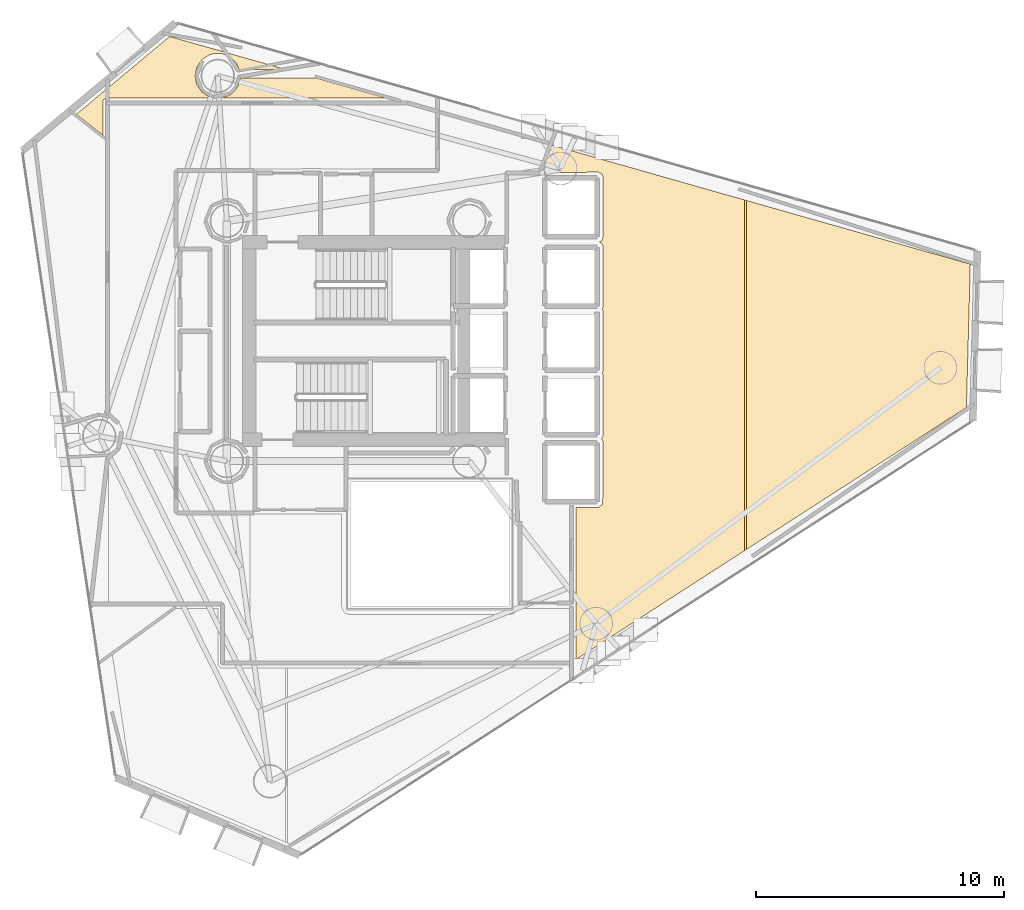
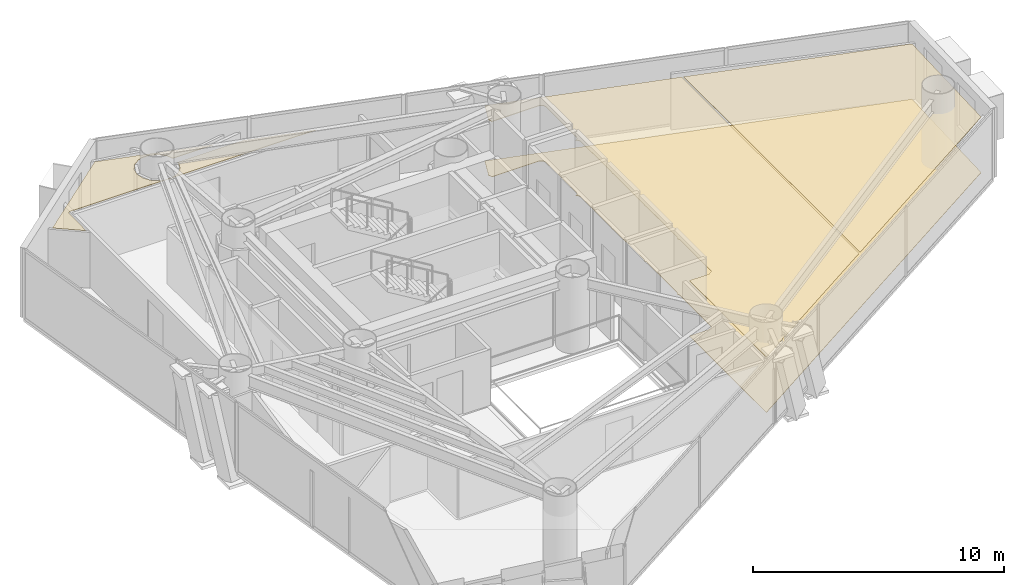
# One storey, part 22 of 22: 4 coverings.
"""IFC4 building model written with IfcOpenShell, lengths in metres."""

from ifc_helpers import new_model, si_unit, direction, frame, origin, place, context, subcontext, project, spatial, polyline, outline, extrude, material, layer, layer_set, type_object, element, save


model = new_model("IFC4")

# Units and contexts
model_context = context("Model", 3, precision=1e-05, world=origin(), true_north=direction((0.0, 1.0)))
body_context = subcontext(model_context, "Body", "Model", "MODEL_VIEW")
ifc_project = project(units=[si_unit("LENGTHUNIT", "METRE"), si_unit("AREAUNIT", "SQUARE_METRE"), si_unit("VOLUMEUNIT", "CUBIC_METRE"), si_unit("PLANEANGLEUNIT", "RADIAN"), si_unit("MASSUNIT", "GRAM", prefix="KILO")], contexts=[model_context])

# Site, building, storey
site_placement = place(None, origin())
site = spatial("IfcSite", under=ifc_project, at=site_placement, CompositionType="ELEMENT")
building_placement = place(site_placement, origin())
building = spatial("IfcBuilding", under=site, at=building_placement, Name="Qianvela Tower", CompositionType="ELEMENT")
storey_placement = place(building_placement, frame((0.0, 0.0, 180.89990234375)))
storey = spatial("IfcBuildingStorey", under=building, at=storey_placement, Name="L46", CompositionType="ELEMENT", Elevation=180.89990234375)

# Coverings
ifc_material_1 = material(Name="Perforated Mineral Acoustic Ceiling Tile")
ifc_layer_1 = layer(ifc_material_1, 0.02490234375)
ifc_layer_set_1 = layer_set([ifc_layer_1], Name="Perforated Mineral Acoustic Ceiling Tile")
covering_type_1 = type_object("IfcCoveringType", Name="COV-CEIL-ACOUSTIC-25", PredefinedType="CEILING", material=ifc_layer_set_1)
covering_1_placement = place(storey_placement, frame((0.0, 0.0, 2.695068359375)))
element("IfcCovering", 1, at=covering_1_placement, inside=storey, type_object=covering_type_1, Name="L46 Acoustic Ceiling Bay 1 Media Practice Cinema L46-02", PredefinedType="CEILING", context=body_context, shape_type="SweptSolid", body=[
    extrude(outline(polyline([(43.785888671875, 24.83154296875), (43.7900390625, 24.839111328125), (43.793212890625, 24.84716796875), (43.79541015625, 24.85546875), (43.796875, 24.864013671875), (43.79736328125, 24.87255859375), (43.800048828125, 27.2998046875), (43.799560546875, 27.307861328125), (43.79833984375, 27.31591796875), (43.79638671875, 27.323486328125), (43.793701171875, 27.3310546875), (43.7646484375, 27.39990234375), (43.793701171875, 27.468994140625), (43.79638671875, 27.476318359375), (43.79833984375, 27.484130859375), (43.799560546875, 27.491943359375), (43.800048828125, 27.5), (43.800048828125, 29.89990234375), (43.799560546875, 29.907958984375), (43.79833984375, 29.915771484375), (43.79638671875, 29.923583984375), (43.793701171875, 29.93115234375), (43.7646484375, 30.0), (43.793701171875, 30.06884765625), (43.79638671875, 30.076416015625), (43.79833984375, 30.084228515625), (43.799560546875, 30.09228515625), (43.800048828125, 30.10009765625), (43.7939453125, 32.540771484375), (43.793701171875, 32.548583984375), (43.79248046875, 32.556396484375), (43.79052734375, 32.56396484375), (43.787841796875, 32.5712890625), (43.784423828125, 32.578369140625), (43.780517578125, 32.585205078125), (43.7353515625, 32.652587890625), (43.73095703125, 32.658447265625), (43.726318359375, 32.6640625), (43.720947265625, 32.6689453125), (43.715087890625, 32.673583984375), (43.708984375, 32.677490234375), (43.702392578125, 32.680908203125), (43.69580078125, 32.68359375), (43.644287109375, 32.701904296875), (43.722412109375, 32.739013671875), (43.729248046875, 32.74267578125), (43.73583984375, 32.746826171875), (43.741943359375, 32.751953125), (43.74755859375, 32.757568359375), (43.75244140625, 32.763427734375), (43.7568359375, 32.77001953125), (43.760498046875, 32.777099609375), (43.763427734375, 32.7841796875), (43.79541015625, 32.873046875), (43.7978515625, 32.8818359375), (43.799560546875, 32.890869140625), (43.800048828125, 32.89990234375), (43.800048828125, 35.300048828125), (43.799560546875, 35.30908203125), (43.7978515625, 35.318115234375), (43.79541015625, 35.326904296875), (43.763427734375, 35.415771484375), (43.7607421875, 35.422607421875), (43.75732421875, 35.42919921875), (43.75341796875, 35.435302734375), (43.748779296875, 35.441162109375), (43.74365234375, 35.4462890625), (43.73828125, 35.451416015625), (43.732421875, 35.45556640625), (43.725830078125, 35.45947265625), (43.63134765625, 35.510009765625), (43.624267578125, 35.51318359375), (43.61669921875, 35.515869140625), (43.609130859375, 35.517822265625), (43.601318359375, 35.51904296875), (43.593505859375, 35.519287109375), (41.4287109375, 35.51123046875), (41.401123046875, 35.59521484375), (41.398193359375, 35.6025390625), (41.39453125, 35.609619140625), (41.390380859375, 35.6162109375), (41.385498046875, 35.62255859375), (41.3798828125, 35.62841796875), (41.373779296875, 35.633544921875), (41.3671875, 35.637939453125), (41.360107421875, 35.641845703125), (41.352783203125, 35.64501953125), (41.34814453125, 35.646728515625), (41.726806640625, 36.6142578125), (49.51611328125, 34.3994140625), (49.51611328125, 20.227294921875), (42.7099609375, 15.83544921875), (42.709228515625, 21.97998046875), (43.59375, 21.980712890625), (43.602294921875, 21.981201171875), (43.610595703125, 21.982421875), (43.618896484375, 21.984619140625), (43.626708984375, 21.98779296875), (43.63427734375, 21.99169921875), (43.641357421875, 21.996337890625), (43.757080078125, 22.082275390625), (43.763427734375, 22.08740234375), (43.769287109375, 22.09326171875), (43.7744140625, 22.099609375), (43.77880859375, 22.106689453125), (43.782470703125, 22.114013671875), (43.785400390625, 22.12158203125), (43.78759765625, 22.129638671875), (43.788818359375, 22.137939453125), (43.789306640625, 22.14599609375), (43.79931640625, 24.61328125), (43.799072265625, 24.62060546875), (43.798095703125, 24.627685546875), (43.796630859375, 24.634521484375), (43.79443359375, 24.641357421875), (43.79150390625, 24.64794921875), (43.751220703125, 24.733154296875), (43.74755859375, 24.739990234375), (43.743408203125, 24.74658203125), (43.738525390625, 24.75244140625), (43.785888671875, 24.83154296875)])), origin(), (0.0, 0.0, 1.0), 0.025146484375),
])
covering_2_placement = place(storey_placement, frame((0.0, 0.0, 2.695068359375)))
element("IfcCovering", 2, at=covering_2_placement, inside=storey, type_object=covering_type_1, Name="L46 Acoustic Ceiling Bay 2 Media Practice Cinema L46-02", PredefinedType="CEILING", context=body_context, shape_type="SweptSolid", body=[
    extrude(outline(polyline([(58.64013671875, 31.804931640625), (58.484130859375, 26.01416015625), (49.595947265625, 20.27880859375), (49.595947265625, 34.376708984375), (58.64013671875, 31.804931640625)])), origin(), (0.0, 0.0, 1.0), 0.025146484375),
])
covering_3_placement = place(storey_placement, frame((0.0, 0.0, 2.695068359375)))
element("IfcCovering", 3, at=covering_3_placement, inside=storey, type_object=covering_type_1, Name="L46 Acoustic Ceiling Social Sitting Lounge L46-04", PredefinedType="CEILING", context=body_context, shape_type="SweptSolid", body=[
    extrude(outline(polyline([(23.650390625, 38.47119140625), (23.643798828125, 38.46728515625), (23.637451171875, 38.462646484375), (23.6318359375, 38.45751953125), (23.62646484375, 38.451904296875), (23.621826171875, 38.445556640625), (23.617919921875, 38.43896484375), (23.614501953125, 38.431884765625), (23.61181640625, 38.424560546875), (23.60986328125, 38.4169921875), (23.608642578125, 38.409423828125), (23.608154296875, 38.401611328125), (23.591796875, 37.02099609375), (22.522216796875, 37.856689453125), (26.29052734375, 41.003662109375), (30.98291015625, 39.669189453125), (29.10400390625, 39.66455078125), (29.003173828125, 39.90576171875), (28.999755859375, 39.912841796875), (28.99560546875, 39.91943359375), (28.9912109375, 39.92578125), (28.98583984375, 39.931396484375), (28.755615234375, 40.161865234375), (28.749755859375, 40.1669921875), (28.743408203125, 40.171875), (28.736572265625, 40.17578125), (28.7294921875, 40.17919921875), (28.428466796875, 40.303955078125), (28.421142578125, 40.306396484375), (28.41357421875, 40.308349609375), (28.40576171875, 40.3095703125), (28.39794921875, 40.31005859375), (28.072021484375, 40.31005859375), (28.064208984375, 40.3095703125), (28.056396484375, 40.308349609375), (28.048828125, 40.306396484375), (27.89208984375, 40.259033203125), (27.884765625, 40.25634765625), (27.877685546875, 40.2529296875), (27.87109375, 40.2490234375), (27.60009765625, 40.068115234375), (27.59375, 40.063232421875), (27.587890625, 40.05810546875), (27.582763671875, 40.05224609375), (27.577880859375, 40.0458984375), (27.39697265625, 39.77490234375), (27.39306640625, 39.768310546875), (27.3896484375, 39.76123046875), (27.386962890625, 39.75390625), (27.385009765625, 39.74609375), (27.321533203125, 39.426513671875), (27.3203125, 39.418701171875), (27.320068359375, 39.410888671875), (27.3203125, 39.4033203125), (27.321533203125, 39.3955078125), (27.385009765625, 39.075927734375), (27.386962890625, 39.068115234375), (27.3896484375, 39.060791015625), (27.39306640625, 39.0537109375), (27.39697265625, 39.047119140625), (27.577880859375, 38.776123046875), (27.582763671875, 38.769775390625), (27.587890625, 38.763916015625), (27.59375, 38.7587890625), (27.60009765625, 38.75390625), (27.87109375, 38.572998046875), (27.877685546875, 38.569091796875), (27.884765625, 38.565673828125), (27.89208984375, 38.56298828125), (28.048828125, 38.515380859375), (28.056396484375, 38.513671875), (28.064208984375, 38.512451171875), (28.072021484375, 38.511962890625), (28.39794921875, 38.511962890625), (28.40576171875, 38.512451171875), (28.41357421875, 38.513671875), (28.421142578125, 38.515380859375), (28.428466796875, 38.51806640625), (28.7294921875, 38.642822265625), (28.736572265625, 38.646240234375), (28.743408203125, 38.650146484375), (28.749755859375, 38.65478515625), (28.755615234375, 38.66015625), (28.98583984375, 38.890380859375), (28.9912109375, 38.896240234375), (28.995849609375, 38.902587890625), (28.999755859375, 38.909423828125), (29.076904296875, 39.0537109375), (29.080322265625, 39.060791015625), (29.0830078125, 39.068115234375), (29.0849609375, 39.07568359375), (29.135009765625, 39.32470703125), (32.168212890625, 39.332275390625), (35.06005859375, 38.510009765625), (23.7421875, 38.509521484375), (23.734375, 38.50927734375), (23.7265625, 38.508056640625), (23.718994140625, 38.506103515625), (23.71142578125, 38.50341796875), (23.704345703125, 38.500244140625), (23.650390625, 38.47119140625)])), origin(), (0.0, 0.0, 1.0), 0.025146484375),
])
ifc_material_2 = material(Name="Engineered Acoustic Oak Timber Flooring", Category="wood")
ifc_layer_2 = layer(ifc_material_2, 0.02001953125)
ifc_layer_set_2 = layer_set([ifc_layer_2], Name="Engineered Acoustic Oak Timber Flooring")
covering_type_2 = type_object("IfcCoveringType", Name="COV-FLOOR-OAK-20", PredefinedType="FLOORING", material=ifc_layer_set_2)
covering_4_placement = place(storey_placement, origin())
element("IfcCovering", 4, at=covering_4_placement, inside=storey, type_object=covering_type_2, Name="L46 Finish Flooring Media Practice Cinema L46-02", PredefinedType="FLOORING", context=body_context, shape_type="SweptSolid", body=[
    extrude(outline(polyline([(43.738525390625, 24.75244140625), (43.785888671875, 24.83154296875), (43.7900390625, 24.839111328125), (43.793212890625, 24.84716796875), (43.79541015625, 24.85546875), (43.796875, 24.864013671875), (43.79736328125, 24.87255859375), (43.800048828125, 27.2998046875), (43.799560546875, 27.307861328125), (43.79833984375, 27.31591796875), (43.79638671875, 27.323486328125), (43.793701171875, 27.3310546875), (43.7646484375, 27.39990234375), (43.793701171875, 27.468994140625), (43.79638671875, 27.476318359375), (43.79833984375, 27.484130859375), (43.799560546875, 27.491943359375), (43.800048828125, 27.5), (43.800048828125, 29.89990234375), (43.799560546875, 29.907958984375), (43.79833984375, 29.915771484375), (43.79638671875, 29.923583984375), (43.793701171875, 29.93115234375), (43.7646484375, 30.0), (43.793701171875, 30.06884765625), (43.79638671875, 30.076416015625), (43.79833984375, 30.084228515625), (43.799560546875, 30.09228515625), (43.800048828125, 30.10009765625), (43.7939453125, 32.540771484375), (43.793701171875, 32.548583984375), (43.79248046875, 32.556396484375), (43.79052734375, 32.56396484375), (43.787841796875, 32.5712890625), (43.784423828125, 32.578369140625), (43.780517578125, 32.585205078125), (43.7353515625, 32.652587890625), (43.73095703125, 32.658447265625), (43.726318359375, 32.6640625), (43.720947265625, 32.6689453125), (43.715087890625, 32.673583984375), (43.708984375, 32.677490234375), (43.702392578125, 32.680908203125), (43.69580078125, 32.68359375), (43.644287109375, 32.701904296875), (43.722412109375, 32.739013671875), (43.729248046875, 32.74267578125), (43.73583984375, 32.746826171875), (43.741943359375, 32.751953125), (43.74755859375, 32.757568359375), (43.75244140625, 32.763427734375), (43.7568359375, 32.77001953125), (43.760498046875, 32.777099609375), (43.763427734375, 32.7841796875), (43.79541015625, 32.873046875), (43.7978515625, 32.8818359375), (43.799560546875, 32.890869140625), (43.800048828125, 32.89990234375), (43.800048828125, 35.300048828125), (43.799560546875, 35.30908203125), (43.7978515625, 35.318115234375), (43.79541015625, 35.326904296875), (43.763427734375, 35.415771484375), (43.7607421875, 35.422607421875), (43.75732421875, 35.42919921875), (43.75341796875, 35.435302734375), (43.748779296875, 35.441162109375), (43.74365234375, 35.4462890625), (43.73828125, 35.451416015625), (43.732421875, 35.45556640625), (43.725830078125, 35.45947265625), (43.63134765625, 35.510009765625), (43.624267578125, 35.51318359375), (43.61669921875, 35.515869140625), (43.609130859375, 35.517822265625), (43.601318359375, 35.51904296875), (43.593505859375, 35.519287109375), (41.4287109375, 35.51123046875), (41.401123046875, 35.59521484375), (41.398193359375, 35.6025390625), (41.39453125, 35.609619140625), (41.390380859375, 35.6162109375), (41.385498046875, 35.62255859375), (41.3798828125, 35.62841796875), (41.373779296875, 35.633544921875), (41.3671875, 35.637939453125), (41.360107421875, 35.641845703125), (41.352783203125, 35.64501953125), (41.34814453125, 35.646728515625), (41.726806640625, 36.6142578125), (58.64013671875, 31.804931640625), (58.484130859375, 26.01416015625), (42.7099609375, 15.83544921875), (42.709228515625, 21.97998046875), (43.59375, 21.980712890625), (43.602294921875, 21.981201171875), (43.610595703125, 21.982421875), (43.618896484375, 21.984619140625), (43.626708984375, 21.98779296875), (43.63427734375, 21.99169921875), (43.641357421875, 21.996337890625), (43.757080078125, 22.082275390625), (43.763427734375, 22.08740234375), (43.769287109375, 22.09326171875), (43.7744140625, 22.099609375), (43.77880859375, 22.106689453125), (43.782470703125, 22.114013671875), (43.785400390625, 22.12158203125), (43.78759765625, 22.129638671875), (43.788818359375, 22.137939453125), (43.789306640625, 22.14599609375), (43.79931640625, 24.61328125), (43.799072265625, 24.62060546875), (43.798095703125, 24.627685546875), (43.796630859375, 24.634521484375), (43.79443359375, 24.641357421875), (43.79150390625, 24.64794921875), (43.751220703125, 24.733154296875), (43.74755859375, 24.739990234375), (43.743408203125, 24.74658203125), (43.738525390625, 24.75244140625)])), origin(), (0.0, 0.0, 1.0), 0.02001953125),
])

save(model, "model.ifc")
